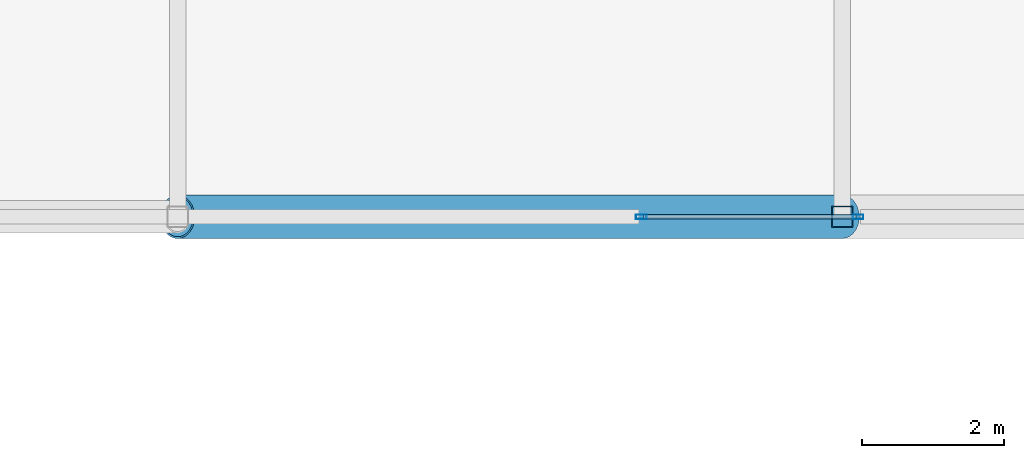
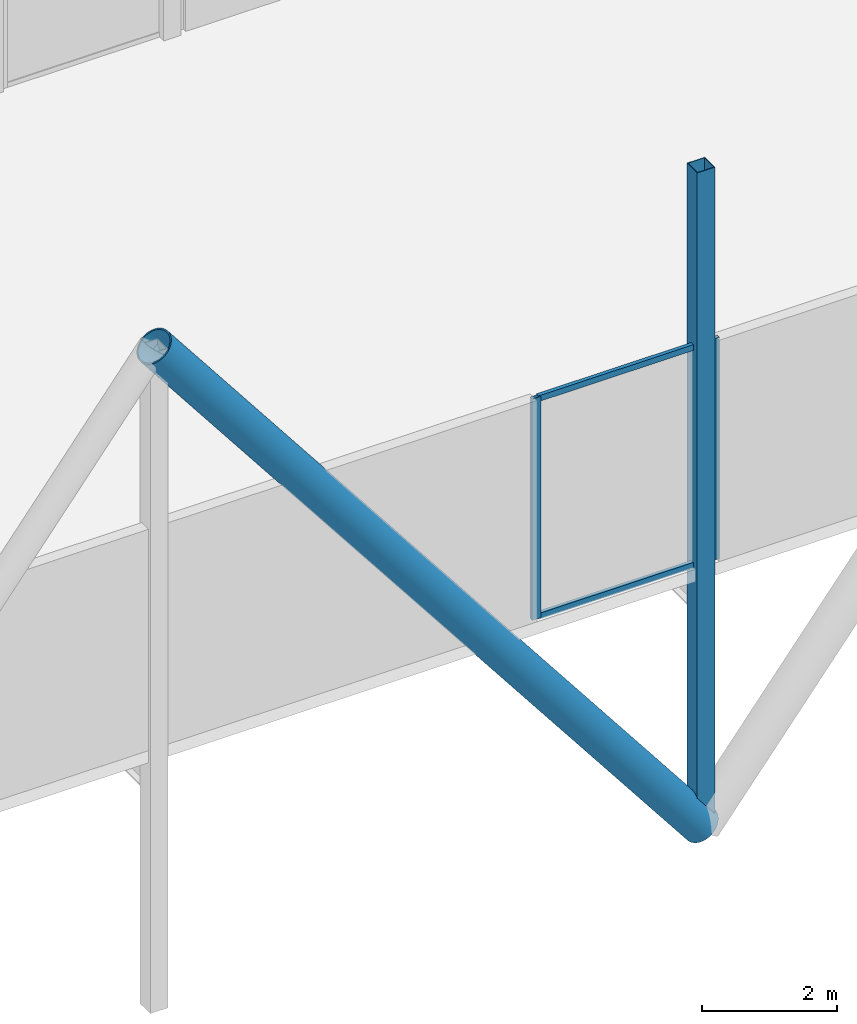
# One storey, part 22 of 53: 6 members, 1 element without a shape of its own.
"""IFC4 building model written with IfcOpenShell, lengths in metres."""

from ifc_helpers import new_model, si_unit, direction, frame, origin, origin_2d, place, context, subcontext, project, spatial, hollow_rectangle, hollow_circle, extrude, material, material_profile, profile_set, type_object, element, aggregate, save


model = new_model("IFC4")

# Units and contexts
model_context = context("Model", 3, precision=1e-05, world=origin(), true_north=direction((0.0, 1.0)))
body_context = subcontext(model_context, "Body", "Model", "MODEL_VIEW")
ifc_project = project(units=[si_unit("LENGTHUNIT", "METRE"), si_unit("AREAUNIT", "SQUARE_METRE"), si_unit("VOLUMEUNIT", "CUBIC_METRE"), si_unit("PLANEANGLEUNIT", "RADIAN"), si_unit("MASSUNIT", "GRAM", prefix="KILO")], contexts=[model_context])

# Site, building, storey
site_placement = place(None, origin())
site = spatial("IfcSite", under=ifc_project, at=site_placement, CompositionType="ELEMENT")
building_placement = place(site_placement, origin())
building = spatial("IfcBuilding", under=site, at=building_placement, Name="Tashvorn Skyway Center", CompositionType="ELEMENT")
storey_placement = place(building_placement, frame((0.0, 0.0, 255.39990234375)))
storey = spatial("IfcBuildingStorey", under=building, at=storey_placement, Name="L69", CompositionType="ELEMENT", Elevation=255.39990234375)

# Curtain wall, members
ifc_material_1 = material(Name="Thermally broken bronze-anodized aluminium 6063-T6", Category="aluminium")
curtain_wall_type = type_object("IfcCurtainWallType", Name="CW-CW-SKY", PredefinedType="NOTDEFINED", material=ifc_material_1)
curtain_wall_placement = place(storey_placement, origin())
curtain_wall = element("IfcCurtainWall", 1, at=curtain_wall_placement, inside=storey, type_object=curtain_wall_type, Name="Sky-Park L69 Bridge South Curtain Wall Glazing Group 1", PredefinedType="NOTDEFINED")
ifc_material_profile_1 = material_profile(ifc_material_1, hollow_rectangle(XDim=0.06494140625, YDim=0.14990234375, WallThickness=0.00390625, at=origin_2d()), Name="ALU-MULL-65x150")
ifc_profile_set_1 = profile_set([ifc_material_profile_1], Name="Thermally broken bronze-anodized aluminium 6063-T6")
member_type_1 = type_object("IfcMemberType", Name="CWM-CW-SKY", PredefinedType="MULLION", material=ifc_profile_set_1)
member_1_placement = place(storey_placement, frame((85.322509765625, 24.10009765625, 0.0), z_axis=(0.0, 0.0, 1.0), x_axis=(0.0, -1.0, 0.0)))
member_1 = element("IfcMember", 2, at=member_1_placement, type_object=member_type_1, Name="CW-SKY mullion 1", PredefinedType="MULLION", context=body_context, shape_type="SweptSolid", body=[
    extrude(hollow_rectangle(XDim=0.06494140625, YDim=0.14990234375, WallThickness=0.00390625, at=origin_2d()), origin(), (0.0, 0.0, 1.0), 4.0),
])
member_2_placement = place(storey_placement, frame((82.2724609375, 24.10009765625, 0.0), z_axis=(0.0, 0.0, 1.0), x_axis=(0.0, -1.0, 0.0)))
member_2 = element("IfcMember", 3, at=member_2_placement, type_object=member_type_1, Name="CW-SKY mullion 2", PredefinedType="MULLION", context=body_context, shape_type="SweptSolid", body=[
    extrude(hollow_rectangle(XDim=0.06494140625, YDim=0.14990234375, WallThickness=0.00390625, at=origin_2d()), origin(), (0.0, 0.0, 1.0), 4.0),
])
ifc_material_profile_2 = material_profile(ifc_material_1, hollow_rectangle(XDim=0.06494140625, YDim=0.10498046875, WallThickness=0.00390625, at=origin_2d()), Name="ALU-TRAN-65x105")
ifc_profile_set_2 = profile_set([ifc_material_profile_2], Name="Thermally broken bronze-anodized aluminium 6063-T6")
member_type_2 = type_object("IfcMemberType", Name="CWT-CW-SKY", PredefinedType="USERDEFINED", material=ifc_profile_set_2)
member_3_placement = place(storey_placement, frame((85.2900390625, 24.10009765625, 0.03271484375), z_axis=(-1.0, 0.0, 0.0), x_axis=(0.0, -1.0, 0.0)))
member_3 = element("IfcMember", 4, at=member_3_placement, type_object=member_type_2, Name="CW-SKY transom 1.1", ObjectType="TRANSOM", PredefinedType="USERDEFINED", context=body_context, shape_type="SweptSolid", body=[
    extrude(hollow_rectangle(XDim=0.06494140625, YDim=0.10498046875, WallThickness=0.00390625, at=origin_2d()), origin(), (0.0, 0.0, 1.0), 2.985107421875),
])
member_4_placement = place(storey_placement, frame((85.2900390625, 24.10009765625, 3.967529296875), z_axis=(-1.0, 0.0, 0.0), x_axis=(0.0, -1.0, 0.0)))
member_4 = element("IfcMember", 5, at=member_4_placement, type_object=member_type_2, Name="CW-SKY transom 1.2", ObjectType="TRANSOM", PredefinedType="USERDEFINED", context=body_context, shape_type="SweptSolid", body=[
    extrude(hollow_rectangle(XDim=0.06494140625, YDim=0.10498046875, WallThickness=0.00390625, at=origin_2d()), origin(), (0.0, 0.0, 1.0), 2.985107421875),
])
aggregate(curtain_wall, [member_1, member_2, member_3, member_4])

# Members
ifc_material_2 = material(Name="Steel ASTM A572 Grade 50", Category="steel")
ifc_material_profile_3 = material_profile(ifc_material_2, hollow_circle(Radius=0.304931640625, WallThickness=0.02490234375, at=origin_2d()), Name="CHS610x25")
ifc_profile_set_3 = profile_set([ifc_material_profile_3], Name="Steel ASTM A572 Grade 50")
member_type_3 = type_object("IfcMemberType", Name="MEM-SP-DIA-610", PredefinedType="BRACE", material=ifc_profile_set_3)
member_5_placement = place(storey_placement, frame((75.75, 24.10009765625, 7.194580078125), z_axis=(0.617186496438, 0.0, -0.786816896498), x_axis=(0.0, 1.0, 0.0)))
element("IfcMember", 6, at=member_5_placement, inside=storey, type_object=member_type_3, Name="Sky-Park Truss 1 Web Diagonal 08", PredefinedType="BRACE", context=body_context, shape_type="SweptSolid", body=[
    extrude(hollow_circle(Radius=0.304931640625, WallThickness=0.02490234375, at=origin_2d()), origin(), (0.0, 0.0, 1.0), 15.149658203125),
])
ifc_material_profile_4 = material_profile(ifc_material_2, hollow_rectangle(XDim=0.300048828125, YDim=0.300048828125, WallThickness=0.012451171875, at=origin_2d()), Name="HSS300x300x12.5")
ifc_profile_set_4 = profile_set([ifc_material_profile_4], Name="Steel ASTM A572 Grade 50")
member_type_4 = type_object("IfcMemberType", Name="MEM-SP-PST-300", PredefinedType="POST", material=ifc_profile_set_4)
member_6_placement = place(storey_placement, frame((85.10009765625, 24.10009765625, -4.725341796875), z_axis=(0.0, 0.0, 1.0), x_axis=(1.0, 0.0, 0.0)))
element("IfcMember", 7, at=member_6_placement, inside=storey, type_object=member_type_4, Name="Sky-Park Truss 1 Vertical Post 09", PredefinedType="POST", context=body_context, shape_type="SweptSolid", body=[
    extrude(hollow_rectangle(XDim=0.300048828125, YDim=0.300048828125, WallThickness=0.012451171875, at=origin_2d()), origin(), (0.0, 0.0, 1.0), 11.919921875),
])

save(model, "model.ifc")
